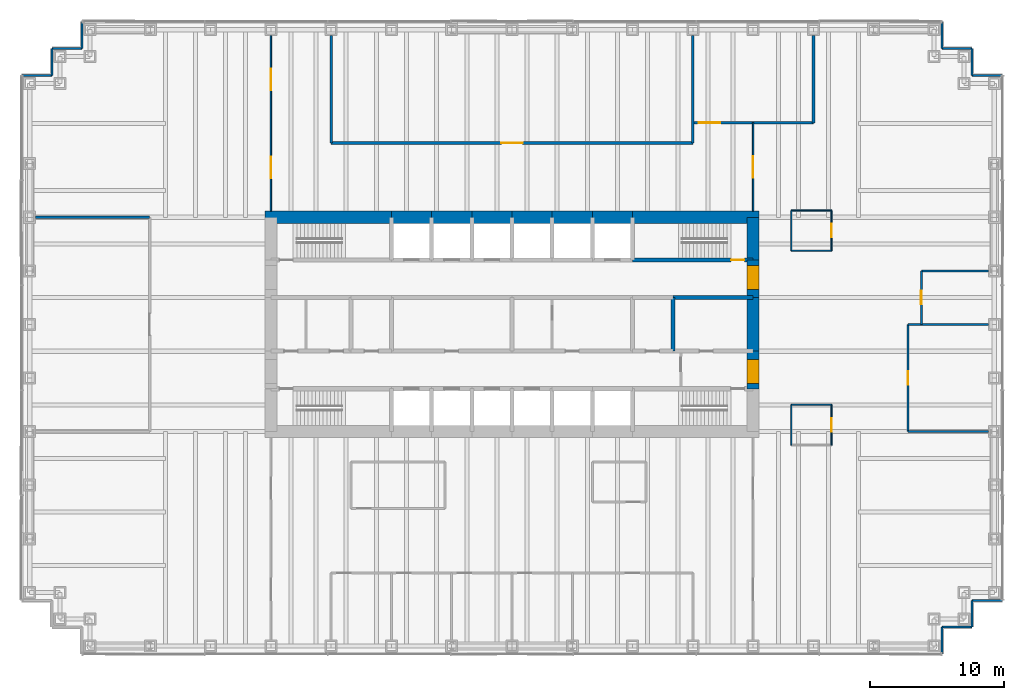
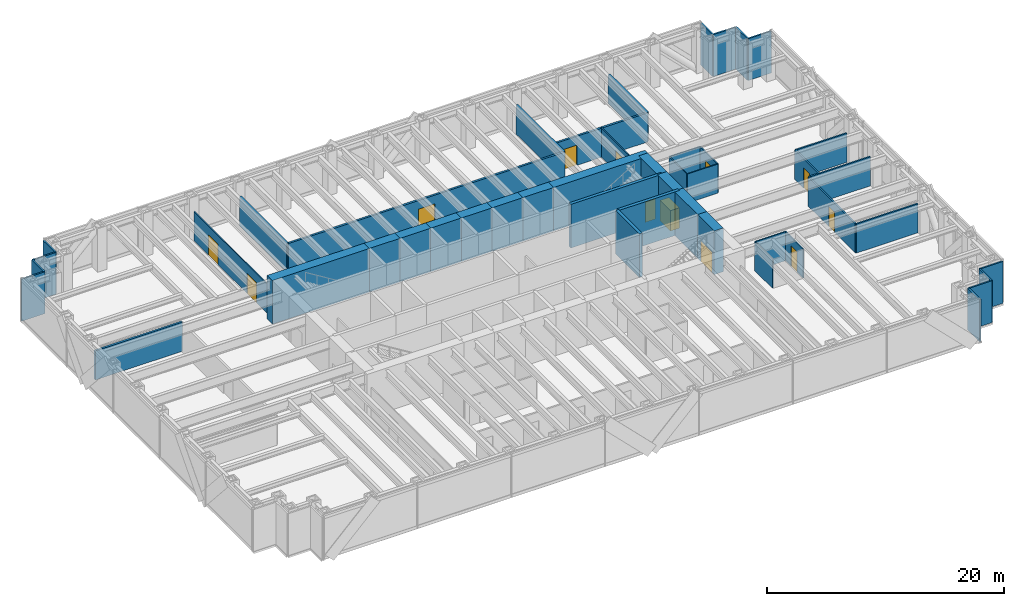
# One storey, part 11 of 13: 47 walls, 12 doors, 12 openings.
"""IFC4 building model written with IfcOpenShell, lengths in metres."""

from ifc_helpers import new_model, si_unit, direction, frame, frame_2d, origin, place, context, subcontext, project, spatial, rectangle, extrude, material, layer, layer_set, type_object, element, fill, save


model = new_model("IFC4")

# Units and contexts
model_context = context("Model", 3, precision=1e-05, world=origin(), true_north=direction((0.0, 1.0)))
body_context = subcontext(model_context, "Body", "Model", "MODEL_VIEW")
ifc_project = project(units=[si_unit("LENGTHUNIT", "METRE"), si_unit("AREAUNIT", "SQUARE_METRE"), si_unit("VOLUMEUNIT", "CUBIC_METRE"), si_unit("PLANEANGLEUNIT", "RADIAN"), si_unit("MASSUNIT", "GRAM", prefix="KILO")], contexts=[model_context])

# Site, building, storey
site_placement = place(None, origin())
site = spatial("IfcSite", under=ifc_project, at=site_placement, CompositionType="ELEMENT")
building_placement = place(site_placement, origin())
building = spatial("IfcBuilding", under=site, at=building_placement, Name="Rheinbord Bourse Tower", CompositionType="ELEMENT")
storey_placement = place(building_placement, frame((0.0, 0.0, 32.0)))
storey = spatial("IfcBuildingStorey", under=building, at=storey_placement, Name="L06", CompositionType="ELEMENT", Elevation=32.0)

# Wall
ifc_material_1 = material(Name="Acoustic gypsum board partition", Category="gypsum board")
ifc_layer_1 = layer(ifc_material_1, 0.199951171875)
ifc_layer_set_1 = layer_set([ifc_layer_1], Name="ACOUSTIC PARTITION 200")
wall_type_1 = type_object("IfcWallType", Name="ACOUSTIC PARTITION 200", PredefinedType="PARTITIONING", material=ifc_layer_set_1)
wall_1_placement = place(storey_placement, frame((0.449951171875, 32.0, 0.0), z_axis=(0.0, 0.0, 1.0), x_axis=(1.0, 0.0, 0.0)))
element("IfcWall", 1, at=wall_1_placement, inside=storey, type_object=wall_type_1, Name="Partition L06-13", PredefinedType="PARTITIONING", context=body_context, shape_type="SweptSolid", body=[
    extrude(rectangle(XDim=8.5, YDim=0.199951171875, at=frame_2d((4.25, 0.0))), origin(), (0.0, 0.0, 1.0), 3.0),
])

# Wall, opening, door
wall_2_placement = place(storey_placement, frame((22.5, 37.550048828125, 0.0), z_axis=(0.0, 0.0, 1.0), x_axis=(1.0, 0.0, 0.0)))
wall_2 = element("IfcWall", 2, at=wall_2_placement, inside=storey, type_object=wall_type_1, Name="Partition L06-15", PredefinedType="PARTITIONING", context=body_context, shape_type="SweptSolid", body=[
    extrude(rectangle(XDim=27.0, YDim=0.199951171875, at=frame_2d((13.5, 0.0))), origin(), (0.0, 0.0, 1.0), 3.0),
])
opening_1_placement = place(wall_2_placement, frame((12.699951171875, 0.0, 0.0)))
opening_1 = element("IfcOpeningElement", 3, at=opening_1_placement, cuts=wall_2, Name="Opening 06D13", PredefinedType="OPENING", context=body_context, shape_type="SweptSolid", body=[
    extrude(rectangle(XDim=1.60009765625, YDim=2.10009765625, at=frame_2d((0.800048828125, 1.050048828125))), frame((0.0, 0.10986328125, 0.0), z_axis=(0.0, -1.0, 0.0), x_axis=(1.0, 0.0, 0.0)), (0.0, 0.0, 1.0), 0.219970703125),
])
ifc_material_2 = material(Name="Timber door", Category="wood")
door_type_1 = type_object("IfcDoorType", Name="DOUBLE ROOM DOOR 1600", OperationType="DOUBLE_DOOR_DOUBLE_SWING", PredefinedType="DOOR", material=ifc_material_2)
door_1_placement = place(opening_1_placement, origin())
door_1 = element("IfcDoor", 4, at=door_1_placement, inside=storey, type_object=door_type_1, Name="Market control room door L06", OperationType="SINGLE_SWING_LEFT", OverallHeight=2.10009765625, OverallWidth=1.60009765625, PredefinedType="DOOR", context=body_context, shape_type="SweptSolid", body=[
    extrude(rectangle(XDim=1.60009765625, YDim=2.10009765625, at=frame_2d((0.800048828125, 1.050048828125))), frame((0.0, 0.02490234375, 0.0), z_axis=(0.0, -1.0, 0.0), x_axis=(1.0, 0.0, 0.0)), (0.0, 0.0, 1.0), 0.050048828125),
])
fill(opening_1, door_1)

wall_3_placement = place(storey_placement, frame((49.5, 39.050048828125, 0.0), z_axis=(0.0, 0.0, 1.0), x_axis=(1.0, 0.0, 0.0)))
wall_3 = element("IfcWall", 5, at=wall_3_placement, inside=storey, type_object=wall_type_1, Name="Partition L06-16", PredefinedType="PARTITIONING", context=body_context, shape_type="SweptSolid", body=[
    extrude(rectangle(XDim=9.0, YDim=0.199951171875, at=frame_2d((4.5, 0.0))), origin(), (0.0, 0.0, 1.0), 3.0),
])
opening_2_placement = place(wall_3_placement, frame((0.449951171875, 0.0, 0.0)))
opening_2 = element("IfcOpeningElement", 6, at=opening_2_placement, cuts=wall_3, Name="Opening 06D14", PredefinedType="OPENING", context=body_context, shape_type="SweptSolid", body=[
    extrude(rectangle(XDim=1.60009765625, YDim=2.10009765625, at=frame_2d((0.800048828125, 1.050048828125))), frame((0.0, 0.10986328125, 0.0), z_axis=(0.0, -1.0, 0.0), x_axis=(1.0, 0.0, 0.0)), (0.0, 0.0, 1.0), 0.219970703125),
])
door_2_placement = place(opening_2_placement, origin())
door_2 = element("IfcDoor", 7, at=door_2_placement, inside=storey, type_object=door_type_1, Name="Incident room door L06", OperationType="SINGLE_SWING_LEFT", OverallHeight=2.10009765625, OverallWidth=1.60009765625, PredefinedType="DOOR", context=body_context, shape_type="SweptSolid", body=[
    extrude(rectangle(XDim=1.60009765625, YDim=2.10009765625, at=frame_2d((0.800048828125, 1.050048828125))), frame((0.0, 0.02490234375, 0.0), z_axis=(0.0, -1.0, 0.0), x_axis=(1.0, 0.0, 0.0)), (0.0, 0.0, 1.0), 0.050048828125),
])
fill(opening_2, door_2)

# Walls
for number, where, z_axis, x_axis, name in (
    (8, (22.5, 37.550048828125, 0.0), (0.0, 0.0, 1.0), (0.0, 1.0, 0.0), "Partition L06-21"),
    (9, (49.5, 37.550048828125, 0.0), (0.0, 0.0, 1.0), (0.0, 1.0, 0.0), "Partition L06-31"),
):
    element("IfcWall", number, at=place(storey_placement, frame(where, z_axis=z_axis, x_axis=x_axis)), inside=storey, type_object=wall_type_1, Name=name, PredefinedType="PARTITIONING", context=body_context, shape_type="SweptSolid", body=[
        extrude(rectangle(XDim=8.0, YDim=0.199951171875, at=frame_2d((4.0, 0.0))), origin(), (0.0, 0.0, 1.0), 3.0),
    ])
wall_4_placement = place(storey_placement, frame((58.5, 39.050048828125, 0.0), z_axis=(0.0, 0.0, 1.0), x_axis=(0.0, 1.0, 0.0)))
element("IfcWall", 10, at=wall_4_placement, inside=storey, type_object=wall_type_1, Name="Partition L06-36", PredefinedType="PARTITIONING", context=body_context, shape_type="SweptSolid", body=[
    extrude(rectangle(XDim=6.5, YDim=0.199951171875, at=frame_2d((3.25, 0.0))), origin(), (0.0, 0.0, 1.0), 3.0),
])

# Wall, opening, door
ifc_material_3 = material(Name="Concrete C50/60", Category="concrete")
ifc_layer_2 = layer(ifc_material_3, 0.300048828125)
ifc_layer_set_2 = layer_set([ifc_layer_2], Name="CORE INNER WALL 300")
wall_type_2 = type_object("IfcWallType", Name="CORE INNER WALL 300", PredefinedType="SOLIDWALL", material=ifc_layer_set_2)
wall_5_placement = place(storey_placement, frame((45.0, 28.800048828125, 0.0), z_axis=(0.0, 0.0, 1.0), x_axis=(1.0, 0.0, 0.0)))
wall_5 = element("IfcWall", 11, at=wall_5_placement, inside=storey, type_object=wall_type_2, Name="Core wall B8 L06", PredefinedType="SOLIDWALL", context=body_context, shape_type="SweptSolid", body=[
    extrude(rectangle(XDim=9.0, YDim=0.300048828125, at=frame_2d((4.5, 0.0))), origin(), (0.0, 0.0, 1.0), 4.5),
])
opening_3_placement = place(wall_5_placement, frame((7.35009765625, 0.0, 0.0)))
opening_3 = element("IfcOpeningElement", 12, at=opening_3_placement, cuts=wall_5, Name="Opening 0640", PredefinedType="OPENING", context=body_context, shape_type="SweptSolid", body=[
    extrude(rectangle(XDim=1.0, YDim=2.10009765625, at=frame_2d((0.5, 1.050048828125))), frame((0.0, 0.159912109375, 0.0), z_axis=(0.0, -1.0, 0.0), x_axis=(1.0, 0.0, 0.0)), (0.0, 0.0, 1.0), 0.320068359375),
])
ifc_material_4 = material(Name="Steel door", Category="steel")
door_type_2 = type_object("IfcDoorType", Name="DOOR 1000 EI30", OperationType="SINGLE_SWING_LEFT", PredefinedType="DOOR", material=ifc_material_4)
door_3_placement = place(opening_3_placement, origin())
door_3 = element("IfcDoor", 13, at=door_3_placement, inside=storey, type_object=door_type_2, Name="Stair door ST4 L06", OperationType="SINGLE_SWING_RIGHT", OverallHeight=2.10009765625, OverallWidth=1.0, PredefinedType="DOOR", context=body_context, shape_type="SweptSolid", body=[
    extrude(rectangle(XDim=1.0, YDim=2.10009765625, at=frame_2d((0.5, 1.050048828125))), frame((0.0, 0.02490234375, 0.0), z_axis=(0.0, -1.0, 0.0), x_axis=(1.0, 0.0, 0.0)), (0.0, 0.0, 1.0), 0.050048828125),
])
fill(opening_3, door_3)

# Walls
wall_6_placement = place(storey_placement, frame((48.0, 26.0, 0.0), z_axis=(0.0, 0.0, 1.0), x_axis=(1.0, 0.0, 0.0)))
element("IfcWall", 14, at=wall_6_placement, inside=storey, type_object=wall_type_2, Name="Core wall D6 L06", PredefinedType="SOLIDWALL", context=body_context, shape_type="SweptSolid", body=[
    extrude(rectangle(XDim=6.0, YDim=0.300048828125, at=frame_2d((3.0, 0.0))), origin(), (0.0, 0.0, 1.0), 4.5),
])
wall_7_placement = place(storey_placement, frame((48.0, 22.0, 0.0), z_axis=(0.0, 0.0, 1.0), x_axis=(0.0, 1.0, 0.0)))
element("IfcWall", 15, at=wall_7_placement, inside=storey, type_object=wall_type_2, Name="Core wall MX48 L06", PredefinedType="SOLIDWALL", context=body_context, shape_type="SweptSolid", body=[
    extrude(rectangle(XDim=4.0, YDim=0.300048828125, at=frame_2d((2.0, 0.0))), origin(), (0.0, 0.0, 1.0), 4.5),
])
ifc_material_5 = material(Name="Concrete C50/60", Category="concrete")
ifc_layer_3 = layer(ifc_material_5, 0.89990234375)
ifc_layer_set_3 = layer_set([ifc_layer_3], Name="CORE WALL 900")
wall_type_3 = type_object("IfcWallType", Name="CORE WALL 900", PredefinedType="SHEAR", material=ifc_layer_set_3)
wall_8_placement = place(storey_placement, frame((54.449951171875, 32.0, 0.0), z_axis=(0.0, 0.0, 1.0), x_axis=(-1.0, 0.0, 0.0)))
element("IfcWall", 16, at=wall_8_placement, inside=storey, type_object=wall_type_3, Name="Core wall N1 L06", PredefinedType="SHEAR", context=body_context, shape_type="SweptSolid", body=[
    extrude(rectangle(XDim=9.449951171875, YDim=0.89990234375, at=frame_2d((4.72509765625, 0.0))), origin(), (0.0, 0.0, 1.0), 4.5),
])
for number, where, z_axis, x_axis, name in (
    (17, (45.0, 32.0, 0.0), (0.0, 0.0, 1.0), (-1.0, 0.0, 0.0), "Core wall N2 L06"),
    (18, (42.0, 32.0, 0.0), (0.0, 0.0, 1.0), (-1.0, 0.0, 0.0), "Core wall N3 L06"),
    (19, (39.0, 32.0, 0.0), (0.0, 0.0, 1.0), (-1.0, 0.0, 0.0), "Core wall N4 L06"),
    (20, (36.0, 32.0, 0.0), (0.0, 0.0, 1.0), (-1.0, 0.0, 0.0), "Core wall N5 L06"),
    (21, (33.0, 32.0, 0.0), (0.0, 0.0, 1.0), (-1.0, 0.0, 0.0), "Core wall N6 L06"),
    (22, (30.0, 32.0, 0.0), (0.0, 0.0, 1.0), (-1.0, 0.0, 0.0), "Core wall N7 L06"),
):
    element("IfcWall", number, at=place(storey_placement, frame(where, z_axis=z_axis, x_axis=x_axis)), inside=storey, type_object=wall_type_3, Name=name, PredefinedType="SHEAR", context=body_context, shape_type="SweptSolid", body=[
        extrude(rectangle(XDim=3.0, YDim=0.89990234375, at=frame_2d((1.5, 0.0))), origin(), (0.0, 0.0, 1.0), 4.5),
    ])
wall_9_placement = place(storey_placement, frame((27.0, 32.0, 0.0), z_axis=(0.0, 0.0, 1.0), x_axis=(-1.0, 0.0, 0.0)))
element("IfcWall", 23, at=wall_9_placement, inside=storey, type_object=wall_type_3, Name="Core wall N8 L06", PredefinedType="SHEAR", context=body_context, shape_type="SweptSolid", body=[
    extrude(rectangle(XDim=9.449951171875, YDim=0.89990234375, at=frame_2d((4.72509765625, 0.0))), origin(), (0.0, 0.0, 1.0), 4.5),
])

# Wall, opening, door
wall_10_placement = place(storey_placement, frame((54.0, 19.199951171875, 0.0), z_axis=(0.0, 0.0, 1.0), x_axis=(0.0, 1.0, 0.0)))
wall_10 = element("IfcWall", 24, at=wall_10_placement, inside=storey, type_object=wall_type_3, Name="Core wall E2 L06", PredefinedType="SHEAR", context=body_context, shape_type="SweptSolid", body=[
    extrude(rectangle(XDim=2.800048828125, YDim=0.89990234375, at=frame_2d((1.39990234375, 0.0))), origin(), (0.0, 0.0, 1.0), 4.5),
])
opening_4_placement = place(wall_10_placement, frame((0.39990234375, 0.0, 0.0)))
opening_4 = element("IfcOpeningElement", 25, at=opening_4_placement, cuts=wall_10, Name="Opening 06L3", PredefinedType="OPENING", context=body_context, shape_type="SweptSolid", body=[
    extrude(rectangle(XDim=1.800048828125, YDim=2.10009765625, at=frame_2d((0.89990234375, 1.050048828125))), frame((0.0, 0.4599609375, 0.0), z_axis=(0.0, -1.0, 0.0), x_axis=(1.0, 0.0, 0.0)), (0.0, 0.0, 1.0), 0.919921875),
])
ifc_material_6 = material(Name="Steel door", Category="steel")
door_type_3 = type_object("IfcDoorType", Name="DOOR 1800 EI30 DOUBLE", OperationType="DOUBLE_DOOR_DOUBLE_SWING", PredefinedType="DOOR", material=ifc_material_6)
door_4_placement = place(opening_4_placement, origin())
door_4 = element("IfcDoor", 26, at=door_4_placement, inside=storey, type_object=door_type_3, Name="Lobby door 3 L06", OperationType="SINGLE_SWING_LEFT", OverallHeight=2.10009765625, OverallWidth=1.800048828125, PredefinedType="DOOR", context=body_context, shape_type="SweptSolid", body=[
    extrude(rectangle(XDim=1.800048828125, YDim=2.10009765625, at=frame_2d((0.89990234375, 1.050048828125))), frame((0.0, 0.44970703125, 0.0), z_axis=(0.0, -1.0, 0.0), x_axis=(1.0, 0.0, 0.0)), (0.0, 0.0, 1.0), 0.8994140625),
])
fill(opening_4, door_4)

# Wall
wall_11_placement = place(storey_placement, frame((54.0, 22.0, 0.0), z_axis=(0.0, 0.0, 1.0), x_axis=(0.0, 1.0, 0.0)))
element("IfcWall", 27, at=wall_11_placement, inside=storey, type_object=wall_type_3, Name="Core wall E3 L06", PredefinedType="SHEAR", context=body_context, shape_type="SweptSolid", body=[
    extrude(rectangle(XDim=4.0, YDim=0.89990234375, at=frame_2d((2.0, 0.0))), origin(), (0.0, 0.0, 1.0), 4.5),
])

# Wall, opening, door
wall_12_placement = place(storey_placement, frame((54.0, 26.0, 0.0), z_axis=(0.0, 0.0, 1.0), x_axis=(0.0, 1.0, 0.0)))
wall_12 = element("IfcWall", 28, at=wall_12_placement, inside=storey, type_object=wall_type_3, Name="Core wall E4 L06", PredefinedType="SHEAR", context=body_context, shape_type="SweptSolid", body=[
    extrude(rectangle(XDim=2.800048828125, YDim=0.89990234375, at=frame_2d((1.39990234375, 0.0))), origin(), (0.0, 0.0, 1.0), 4.5),
])
opening_5_placement = place(wall_12_placement, frame((0.60009765625, 0.0, 0.0)))
opening_5 = element("IfcOpeningElement", 29, at=opening_5_placement, cuts=wall_12, Name="Opening 06L4", PredefinedType="OPENING", context=body_context, shape_type="SweptSolid", body=[
    extrude(rectangle(XDim=1.800048828125, YDim=2.10009765625, at=frame_2d((0.89990234375, 1.050048828125))), frame((0.0, 0.4599609375, 0.0), z_axis=(0.0, -1.0, 0.0), x_axis=(1.0, 0.0, 0.0)), (0.0, 0.0, 1.0), 0.919921875),
])
door_5_placement = place(opening_5_placement, origin())
door_5 = element("IfcDoor", 30, at=door_5_placement, inside=storey, type_object=door_type_3, Name="Lobby door 4 L06", OperationType="SINGLE_SWING_LEFT", OverallHeight=2.10009765625, OverallWidth=1.800048828125, PredefinedType="DOOR", context=body_context, shape_type="SweptSolid", body=[
    extrude(rectangle(XDim=1.800048828125, YDim=2.10009765625, at=frame_2d((0.89990234375, 1.050048828125))), frame((0.0, 0.44970703125, 0.0), z_axis=(0.0, -1.0, 0.0), x_axis=(1.0, 0.0, 0.0)), (0.0, 0.0, 1.0), 0.8994140625),
])
fill(opening_5, door_5)

# Walls
wall_13_placement = place(storey_placement, frame((54.0, 28.800048828125, 0.0), z_axis=(0.0, 0.0, 1.0), x_axis=(0.0, 1.0, 0.0)))
element("IfcWall", 31, at=wall_13_placement, inside=storey, type_object=wall_type_3, Name="Core wall E5 L06", PredefinedType="SHEAR", context=body_context, shape_type="SweptSolid", body=[
    extrude(rectangle(XDim=3.199951171875, YDim=0.89990234375, at=frame_2d((1.60009765625, 0.0))), origin(), (0.0, 0.0, 1.0), 4.5),
])
ifc_material_7 = material(Name="Black metal rainscreen panel", Category="aluminium")
ifc_layer_4 = layer(ifc_material_7, 0.14990234375)
ifc_layer_set_4 = layer_set([ifc_layer_4], Name="CORNER PIER CLADDING 150")
wall_type_4 = type_object("IfcWallType", Name="CORNER PIER CLADDING 150", PredefinedType="ELEMENTEDWALL", material=ifc_layer_set_4)
wall_14_placement = place(storey_placement, frame((68.10009765625, -0.60009765625, 0.0), z_axis=(0.0, 0.0, 1.0), x_axis=(0.0, 1.0, 0.0)))
element("IfcWall", 32, at=wall_14_placement, inside=storey, type_object=wall_type_4, Name="Corner pier cladding L06 2", PredefinedType="ELEMENTEDWALL", context=body_context, shape_type="SweptSolid", body=[
    extrude(rectangle(XDim=2.0, YDim=0.14990234375, at=frame_2d((1.0, 0.0))), origin(), (0.0, 0.0, 1.0), 4.320068359375),
])
wall_15_placement = place(storey_placement, frame((68.10009765625, 1.39990234375, 0.0), z_axis=(0.0, 0.0, 1.0), x_axis=(1.0, 0.0, 0.0)))
element("IfcWall", 33, at=wall_15_placement, inside=storey, type_object=wall_type_4, Name="Corner pier cladding L06 3", PredefinedType="ELEMENTEDWALL", context=body_context, shape_type="SweptSolid", body=[
    extrude(rectangle(XDim=2.25, YDim=0.14990234375, at=frame_2d((1.125, 0.0))), origin(), (0.0, 0.0, 1.0), 4.320068359375),
])
wall_16_placement = place(storey_placement, frame((70.35009765625, 1.39990234375, 0.0), z_axis=(0.0, 0.0, 1.0), x_axis=(0.0, 1.0, 0.0)))
element("IfcWall", 34, at=wall_16_placement, inside=storey, type_object=wall_type_4, Name="Corner pier cladding L06 4", PredefinedType="ELEMENTEDWALL", context=body_context, shape_type="SweptSolid", body=[
    extrude(rectangle(XDim=2.0, YDim=0.14990234375, at=frame_2d((1.0, 0.0))), origin(), (0.0, 0.0, 1.0), 4.320068359375),
])
for number, where, z_axis, x_axis, name in (
    (35, (70.35009765625, 3.39990234375, 0.0), (0.0, 0.0, 1.0), (1.0, 0.0, 0.0), "Corner pier cladding L06 5"),
    (36, (72.60009765625, 42.60009765625, 0.0), (0.0, 0.0, 1.0), (-1.0, 0.0, 0.0), "Corner pier cladding L06 7"),
):
    element("IfcWall", number, at=place(storey_placement, frame(where, z_axis=z_axis, x_axis=x_axis)), inside=storey, type_object=wall_type_4, Name=name, PredefinedType="ELEMENTEDWALL", context=body_context, shape_type="SweptSolid", body=[
        extrude(rectangle(XDim=2.25, YDim=0.14990234375, at=frame_2d((1.125, 0.0))), origin(), (0.0, 0.0, 1.0), 4.320068359375),
    ])
wall_17_placement = place(storey_placement, frame((70.35009765625, 42.60009765625, 0.0), z_axis=(0.0, 0.0, 1.0), x_axis=(0.0, 1.0, 0.0)))
element("IfcWall", 37, at=wall_17_placement, inside=storey, type_object=wall_type_4, Name="Corner pier cladding L06 8", PredefinedType="ELEMENTEDWALL", context=body_context, shape_type="SweptSolid", body=[
    extrude(rectangle(XDim=2.0, YDim=0.14990234375, at=frame_2d((1.0, 0.0))), origin(), (0.0, 0.0, 1.0), 4.320068359375),
])
wall_18_placement = place(storey_placement, frame((70.35009765625, 44.60009765625, 0.0), z_axis=(0.0, 0.0, 1.0), x_axis=(-1.0, 0.0, 0.0)))
element("IfcWall", 38, at=wall_18_placement, inside=storey, type_object=wall_type_4, Name="Corner pier cladding L06 9", PredefinedType="ELEMENTEDWALL", context=body_context, shape_type="SweptSolid", body=[
    extrude(rectangle(XDim=2.25, YDim=0.14990234375, at=frame_2d((1.125, 0.0))), origin(), (0.0, 0.0, 1.0), 4.320068359375),
])
for number, where, z_axis, x_axis, name in (
    (39, (68.10009765625, 44.60009765625, 0.0), (0.0, 0.0, 1.0), (0.0, 1.0, 0.0), "Corner pier cladding L06 10"),
    (40, (3.89990234375, 46.60009765625, 0.0), (0.0, 0.0, 1.0), (0.0, -1.0, 0.0), "Corner pier cladding L06 12"),
):
    element("IfcWall", number, at=place(storey_placement, frame(where, z_axis=z_axis, x_axis=x_axis)), inside=storey, type_object=wall_type_4, Name=name, PredefinedType="ELEMENTEDWALL", context=body_context, shape_type="SweptSolid", body=[
        extrude(rectangle(XDim=2.0, YDim=0.14990234375, at=frame_2d((1.0, 0.0))), origin(), (0.0, 0.0, 1.0), 4.320068359375),
    ])
wall_19_placement = place(storey_placement, frame((3.89990234375, 44.60009765625, 0.0), z_axis=(0.0, 0.0, 1.0), x_axis=(-1.0, 0.0, 0.0)))
element("IfcWall", 41, at=wall_19_placement, inside=storey, type_object=wall_type_4, Name="Corner pier cladding L06 13", PredefinedType="ELEMENTEDWALL", context=body_context, shape_type="SweptSolid", body=[
    extrude(rectangle(XDim=2.25, YDim=0.14990234375, at=frame_2d((1.125, 0.0))), origin(), (0.0, 0.0, 1.0), 4.320068359375),
])
wall_20_placement = place(storey_placement, frame((1.64990234375, 44.60009765625, 0.0), z_axis=(0.0, 0.0, 1.0), x_axis=(0.0, -1.0, 0.0)))
element("IfcWall", 42, at=wall_20_placement, inside=storey, type_object=wall_type_4, Name="Corner pier cladding L06 14", PredefinedType="ELEMENTEDWALL", context=body_context, shape_type="SweptSolid", body=[
    extrude(rectangle(XDim=2.0, YDim=0.14990234375, at=frame_2d((1.0, 0.0))), origin(), (0.0, 0.0, 1.0), 4.320068359375),
])
wall_21_placement = place(storey_placement, frame((1.64990234375, 42.60009765625, 0.0), z_axis=(0.0, 0.0, 1.0), x_axis=(-1.0, 0.0, 0.0)))
element("IfcWall", 43, at=wall_21_placement, inside=storey, type_object=wall_type_4, Name="Corner pier cladding L06 15", PredefinedType="ELEMENTEDWALL", context=body_context, shape_type="SweptSolid", body=[
    extrude(rectangle(XDim=2.25, YDim=0.14990234375, at=frame_2d((1.125, 0.0))), origin(), (0.0, 0.0, 1.0), 4.320068359375),
])
ifc_material_8 = material(Name="Toughened laminated glass partition", Category="glass")
ifc_layer_5 = layer(ifc_material_8, 0.10009765625)
ifc_layer_set_5 = layer_set([ifc_layer_5], Name="GLAZED PARTITION 100")
wall_type_5 = type_object("IfcWallType", Name="GLAZED PARTITION 100", PredefinedType="PARTITIONING", material=ifc_layer_set_5)
for number, where, z_axis, x_axis, name in (
    (44, (56.85009765625, 18.0, 0.0), (0.0, 0.0, 1.0), (1.0, 0.0, 0.0), "Partition L06-09"),
    (45, (56.85009765625, 29.5, 0.0), (0.0, 0.0, 1.0), (1.0, 0.0, 0.0), "Partition L06-12"),
    (46, (56.85009765625, 32.5, 0.0), (0.0, 0.0, 1.0), (1.0, 0.0, 0.0), "Partition L06-14"),
):
    element("IfcWall", number, at=place(storey_placement, frame(where, z_axis=z_axis, x_axis=x_axis)), inside=storey, type_object=wall_type_5, Name=name, PredefinedType="PARTITIONING", context=body_context, shape_type="SweptSolid", body=[
        extrude(rectangle(XDim=3.0, YDim=0.10009765625, at=frame_2d((1.5, 0.0))), origin(), (0.0, 0.0, 1.0), 3.0),
    ])

# Wall, openings, doors
wall_22_placement = place(storey_placement, frame((18.0, 32.449951171875, 0.0), z_axis=(0.0, 0.0, 1.0), x_axis=(0.0, 1.0, 0.0)))
wall_22 = element("IfcWall", 47, at=wall_22_placement, inside=storey, type_object=wall_type_5, Name="Partition L06-19", PredefinedType="PARTITIONING", context=body_context, shape_type="SweptSolid", body=[
    extrude(rectangle(XDim=13.10009765625, YDim=0.10009765625, at=frame_2d((6.550048828125, 0.0))), origin(), (0.0, 0.0, 1.0), 3.0),
])
opening_6_placement = place(wall_22_placement, frame((2.47509765625, 0.0, 0.0)))
opening_6 = element("IfcOpeningElement", 48, at=opening_6_placement, cuts=wall_22, Name="Opening 06D17", PredefinedType="OPENING", context=body_context, shape_type="SweptSolid", body=[
    extrude(rectangle(XDim=1.60009765625, YDim=2.10009765625, at=frame_2d((0.800048828125, 1.050048828125))), frame((0.0, 0.06005859375, 0.0), z_axis=(0.0, -1.0, 0.0), x_axis=(1.0, 0.0, 0.0)), (0.0, 0.0, 1.0), 0.1201171875),
])
opening_7_placement = place(wall_22_placement, frame((9.02490234375, 0.0, 0.0)))
opening_7 = element("IfcOpeningElement", 49, at=opening_7_placement, cuts=wall_22, Name="Opening 06D18", PredefinedType="OPENING", context=body_context, shape_type="SweptSolid", body=[
    extrude(rectangle(XDim=1.60009765625, YDim=2.10009765625, at=frame_2d((0.800048828125, 1.050048828125))), frame((0.0, 0.06005859375, 0.0), z_axis=(0.0, -1.0, 0.0), x_axis=(1.0, 0.0, 0.0)), (0.0, 0.0, 1.0), 0.1201171875),
])
door_6_placement = place(opening_6_placement, origin())
door_6 = element("IfcDoor", 50, at=door_6_placement, inside=storey, type_object=door_type_1, Name="Open area door L06", OperationType="SINGLE_SWING_LEFT", OverallHeight=2.10009765625, OverallWidth=1.60009765625, PredefinedType="DOOR", context=body_context, shape_type="SweptSolid", body=[
    extrude(rectangle(XDim=1.60009765625, YDim=2.10009765625, at=frame_2d((0.800048828125, 1.050048828125))), frame((0.0, 0.02490234375, 0.0), z_axis=(0.0, -1.0, 0.0), x_axis=(1.0, 0.0, 0.0)), (0.0, 0.0, 1.0), 0.050048828125),
])
fill(opening_6, door_6)
door_7_placement = place(opening_7_placement, origin())
door_7 = element("IfcDoor", 51, at=door_7_placement, inside=storey, type_object=door_type_1, Name="Open area door L06", OperationType="SINGLE_SWING_LEFT", OverallHeight=2.10009765625, OverallWidth=1.60009765625, PredefinedType="DOOR", context=body_context, shape_type="SweptSolid", body=[
    extrude(rectangle(XDim=1.60009765625, YDim=2.10009765625, at=frame_2d((0.800048828125, 1.050048828125))), frame((0.0, 0.02490234375, 0.0), z_axis=(0.0, -1.0, 0.0), x_axis=(1.0, 0.0, 0.0)), (0.0, 0.0, 1.0), 0.050048828125),
])
fill(opening_7, door_7)

# Wall, opening, door
wall_23_placement = place(storey_placement, frame((54.0, 32.449951171875, 0.0), z_axis=(0.0, 0.0, 1.0), x_axis=(0.0, 1.0, 0.0)))
wall_23 = element("IfcWall", 52, at=wall_23_placement, inside=storey, type_object=wall_type_5, Name="Partition L06-33", PredefinedType="PARTITIONING", context=body_context, shape_type="SweptSolid", body=[
    extrude(rectangle(XDim=6.60009765625, YDim=0.10009765625, at=frame_2d((3.300048828125, 0.0))), origin(), (0.0, 0.0, 1.0), 3.0),
])
opening_8_placement = place(wall_23_placement, frame((2.5, 0.0, 0.0)))
opening_8 = element("IfcOpeningElement", 53, at=opening_8_placement, cuts=wall_23, Name="Opening 06D21", PredefinedType="OPENING", context=body_context, shape_type="SweptSolid", body=[
    extrude(rectangle(XDim=1.60009765625, YDim=2.10009765625, at=frame_2d((0.800048828125, 1.050048828125))), frame((0.0, 0.06005859375, 0.0), z_axis=(0.0, -1.0, 0.0), x_axis=(1.0, 0.0, 0.0)), (0.0, 0.0, 1.0), 0.1201171875),
])
door_8_placement = place(opening_8_placement, origin())
door_8 = element("IfcDoor", 54, at=door_8_placement, inside=storey, type_object=door_type_1, Name="Open area door L06", OperationType="SINGLE_SWING_LEFT", OverallHeight=2.10009765625, OverallWidth=1.60009765625, PredefinedType="DOOR", context=body_context, shape_type="SweptSolid", body=[
    extrude(rectangle(XDim=1.60009765625, YDim=2.10009765625, at=frame_2d((0.800048828125, 1.050048828125))), frame((0.0, 0.02490234375, 0.0), z_axis=(0.0, -1.0, 0.0), x_axis=(1.0, 0.0, 0.0)), (0.0, 0.0, 1.0), 0.050048828125),
])
fill(opening_8, door_8)

# Walls
for number, where, z_axis, x_axis, name in (
    (55, (56.85009765625, 15.0, 0.0), (0.0, 0.0, 1.0), (0.0, 1.0, 0.0), "Partition L06-34"),
    (56, (56.85009765625, 29.5, 0.0), (0.0, 0.0, 1.0), (0.0, 1.0, 0.0), "Partition L06-35"),
):
    element("IfcWall", number, at=place(storey_placement, frame(where, z_axis=z_axis, x_axis=x_axis)), inside=storey, type_object=wall_type_5, Name=name, PredefinedType="PARTITIONING", context=body_context, shape_type="SweptSolid", body=[
        extrude(rectangle(XDim=3.0, YDim=0.10009765625, at=frame_2d((1.5, 0.0))), origin(), (0.0, 0.0, 1.0), 3.0),
    ])

# Wall, opening, door
wall_24_placement = place(storey_placement, frame((59.85009765625, 15.0, 0.0), z_axis=(0.0, 0.0, 1.0), x_axis=(0.0, 1.0, 0.0)))
wall_24 = element("IfcWall", 57, at=wall_24_placement, inside=storey, type_object=wall_type_5, Name="Partition L06-37", PredefinedType="PARTITIONING", context=body_context, shape_type="SweptSolid", body=[
    extrude(rectangle(XDim=3.0, YDim=0.10009765625, at=frame_2d((1.5, 0.0))), origin(), (0.0, 0.0, 1.0), 3.0),
])
opening_9_placement = place(wall_24_placement, frame((1.0, 0.0, 0.0)))
opening_9 = element("IfcOpeningElement", 58, at=opening_9_placement, cuts=wall_24, Name="Opening 06D08", PredefinedType="OPENING", context=body_context, shape_type="SweptSolid", body=[
    extrude(rectangle(XDim=1.0, YDim=2.10009765625, at=frame_2d((0.5, 1.050048828125))), frame((0.0, 0.06005859375, 0.0), z_axis=(0.0, -1.0, 0.0), x_axis=(1.0, 0.0, 0.0)), (0.0, 0.0, 1.0), 0.1201171875),
])
ifc_material_9 = material(Name="Timber door", Category="wood")
door_type_4 = type_object("IfcDoorType", Name="ROOM DOOR 1000", OperationType="SINGLE_SWING_LEFT", PredefinedType="DOOR", material=ifc_material_9)
door_9_placement = place(opening_9_placement, origin())
door_9 = element("IfcDoor", 59, at=door_9_placement, inside=storey, type_object=door_type_4, Name="Quiet room door L06", OperationType="SINGLE_SWING_LEFT", OverallHeight=2.10009765625, OverallWidth=1.0, PredefinedType="DOOR", context=body_context, shape_type="SweptSolid", body=[
    extrude(rectangle(XDim=1.0, YDim=2.10009765625, at=frame_2d((0.5, 1.050048828125))), frame((0.0, 0.02490234375, 0.0), z_axis=(0.0, -1.0, 0.0), x_axis=(1.0, 0.0, 0.0)), (0.0, 0.0, 1.0), 0.050048828125),
])
fill(opening_9, door_9)

wall_25_placement = place(storey_placement, frame((59.85009765625, 29.5, 0.0), z_axis=(0.0, 0.0, 1.0), x_axis=(0.0, 1.0, 0.0)))
wall_25 = element("IfcWall", 60, at=wall_25_placement, inside=storey, type_object=wall_type_5, Name="Partition L06-38", PredefinedType="PARTITIONING", context=body_context, shape_type="SweptSolid", body=[
    extrude(rectangle(XDim=3.0, YDim=0.10009765625, at=frame_2d((1.5, 0.0))), origin(), (0.0, 0.0, 1.0), 3.0),
])
opening_10_placement = place(wall_25_placement, frame((1.0, 0.0, 0.0)))
opening_10 = element("IfcOpeningElement", 61, at=opening_10_placement, cuts=wall_25, Name="Opening 06D12", PredefinedType="OPENING", context=body_context, shape_type="SweptSolid", body=[
    extrude(rectangle(XDim=1.0, YDim=2.10009765625, at=frame_2d((0.5, 1.050048828125))), frame((0.0, 0.06005859375, 0.0), z_axis=(0.0, -1.0, 0.0), x_axis=(1.0, 0.0, 0.0)), (0.0, 0.0, 1.0), 0.1201171875),
])
door_10_placement = place(opening_10_placement, origin())
door_10 = element("IfcDoor", 62, at=door_10_placement, inside=storey, type_object=door_type_4, Name="Quiet room door L06", OperationType="SINGLE_SWING_LEFT", OverallHeight=2.10009765625, OverallWidth=1.0, PredefinedType="DOOR", context=body_context, shape_type="SweptSolid", body=[
    extrude(rectangle(XDim=1.0, YDim=2.10009765625, at=frame_2d((0.5, 1.050048828125))), frame((0.0, 0.02490234375, 0.0), z_axis=(0.0, -1.0, 0.0), x_axis=(1.0, 0.0, 0.0)), (0.0, 0.0, 1.0), 0.050048828125),
])
fill(opening_10, door_10)

# Walls
ifc_material_10 = material(Name="Gypsum board partition", Category="gypsum board")
ifc_layer_6 = layer(ifc_material_10, 0.14990234375)
ifc_layer_set_6 = layer_set([ifc_layer_6], Name="PARTITION 150")
wall_type_6 = type_object("IfcWallType", Name="PARTITION 150", PredefinedType="PARTITIONING", material=ifc_layer_set_6)
for number, where, z_axis, x_axis, name in (
    (63, (65.550048828125, 16.0, 0.0), (0.0, 0.0, 1.0), (1.0, 0.0, 0.0), "Partition L06-08"),
    (64, (65.550048828125, 24.0, 0.0), (0.0, 0.0, 1.0), (1.0, 0.0, 0.0), "Partition L06-10"),
):
    element("IfcWall", number, at=place(storey_placement, frame(where, z_axis=z_axis, x_axis=x_axis)), inside=storey, type_object=wall_type_6, Name=name, PredefinedType="PARTITIONING", context=body_context, shape_type="SweptSolid", body=[
        extrude(rectangle(XDim=6.0, YDim=0.14990234375, at=frame_2d((3.0, 0.0))), origin(), (0.0, 0.0, 1.0), 3.0),
    ])
wall_26_placement = place(storey_placement, frame((66.550048828125, 28.0, 0.0), z_axis=(0.0, 0.0, 1.0), x_axis=(1.0, 0.0, 0.0)))
element("IfcWall", 65, at=wall_26_placement, inside=storey, type_object=wall_type_6, Name="Partition L06-11", PredefinedType="PARTITIONING", context=body_context, shape_type="SweptSolid", body=[
    extrude(rectangle(XDim=5.0, YDim=0.14990234375, at=frame_2d((2.5, 0.0))), origin(), (0.0, 0.0, 1.0), 3.0),
])

# Wall, opening, door
wall_27_placement = place(storey_placement, frame((65.550048828125, 16.0, 0.0), z_axis=(0.0, 0.0, 1.0), x_axis=(0.0, 1.0, 0.0)))
wall_27 = element("IfcWall", 66, at=wall_27_placement, inside=storey, type_object=wall_type_6, Name="Partition L06-39", PredefinedType="PARTITIONING", context=body_context, shape_type="SweptSolid", body=[
    extrude(rectangle(XDim=8.0, YDim=0.14990234375, at=frame_2d((4.0, 0.0))), origin(), (0.0, 0.0, 1.0), 3.0),
])
opening_11_placement = place(wall_27_placement, frame((3.5, 0.0, 0.0)))
opening_11 = element("IfcOpeningElement", 67, at=opening_11_placement, cuts=wall_27, Name="Opening 06D09", PredefinedType="OPENING", context=body_context, shape_type="SweptSolid", body=[
    extrude(rectangle(XDim=1.0, YDim=2.10009765625, at=frame_2d((0.5, 1.050048828125))), frame((0.0, 0.0849609375, 0.0), z_axis=(0.0, -1.0, 0.0), x_axis=(1.0, 0.0, 0.0)), (0.0, 0.0, 1.0), 0.169921875),
])
door_11_placement = place(opening_11_placement, origin())
door_11 = element("IfcDoor", 68, at=door_11_placement, inside=storey, type_object=door_type_4, Name="Pantry door L06", OperationType="SINGLE_SWING_LEFT", OverallHeight=2.10009765625, OverallWidth=1.0, PredefinedType="DOOR", context=body_context, shape_type="SweptSolid", body=[
    extrude(rectangle(XDim=1.0, YDim=2.10009765625, at=frame_2d((0.5, 1.050048828125))), frame((0.0, 0.02490234375, 0.0), z_axis=(0.0, -1.0, 0.0), x_axis=(1.0, 0.0, 0.0)), (0.0, 0.0, 1.0), 0.050048828125),
])
fill(opening_11, door_11)

wall_28_placement = place(storey_placement, frame((66.550048828125, 24.0, 0.0), z_axis=(0.0, 0.0, 1.0), x_axis=(0.0, 1.0, 0.0)))
wall_28 = element("IfcWall", 69, at=wall_28_placement, inside=storey, type_object=wall_type_6, Name="Partition L06-40", PredefinedType="PARTITIONING", context=body_context, shape_type="SweptSolid", body=[
    extrude(rectangle(XDim=4.0, YDim=0.14990234375, at=frame_2d((2.0, 0.0))), origin(), (0.0, 0.0, 1.0), 3.0),
])
opening_12_placement = place(wall_28_placement, frame((1.5, 0.0, 0.0)))
opening_12 = element("IfcOpeningElement", 70, at=opening_12_placement, cuts=wall_28, Name="Opening 06D11", PredefinedType="OPENING", context=body_context, shape_type="SweptSolid", body=[
    extrude(rectangle(XDim=1.0, YDim=2.10009765625, at=frame_2d((0.5, 1.050048828125))), frame((0.0, 0.0849609375, 0.0), z_axis=(0.0, -1.0, 0.0), x_axis=(1.0, 0.0, 0.0)), (0.0, 0.0, 1.0), 0.169921875),
])
door_12_placement = place(opening_12_placement, origin())
door_12 = element("IfcDoor", 71, at=door_12_placement, inside=storey, type_object=door_type_4, Name="Locker room door L06", OperationType="SINGLE_SWING_LEFT", OverallHeight=2.10009765625, OverallWidth=1.0, PredefinedType="DOOR", context=body_context, shape_type="SweptSolid", body=[
    extrude(rectangle(XDim=1.0, YDim=2.10009765625, at=frame_2d((0.5, 1.050048828125))), frame((0.0, 0.02490234375, 0.0), z_axis=(0.0, -1.0, 0.0), x_axis=(1.0, 0.0, 0.0)), (0.0, 0.0, 1.0), 0.050048828125),
])
fill(opening_12, door_12)

save(model, "model.ifc")
